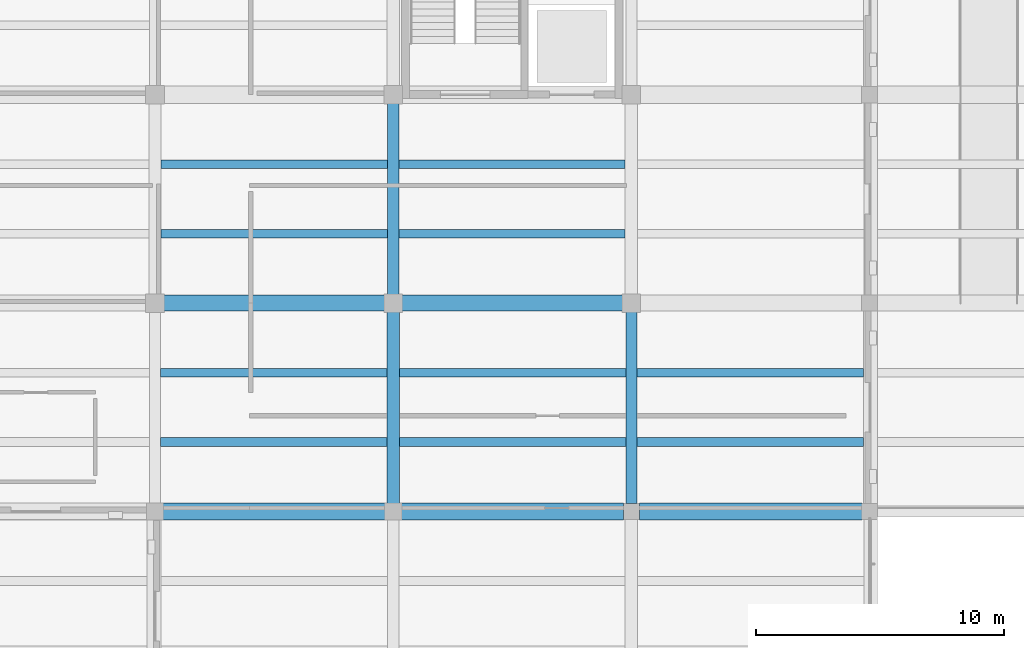
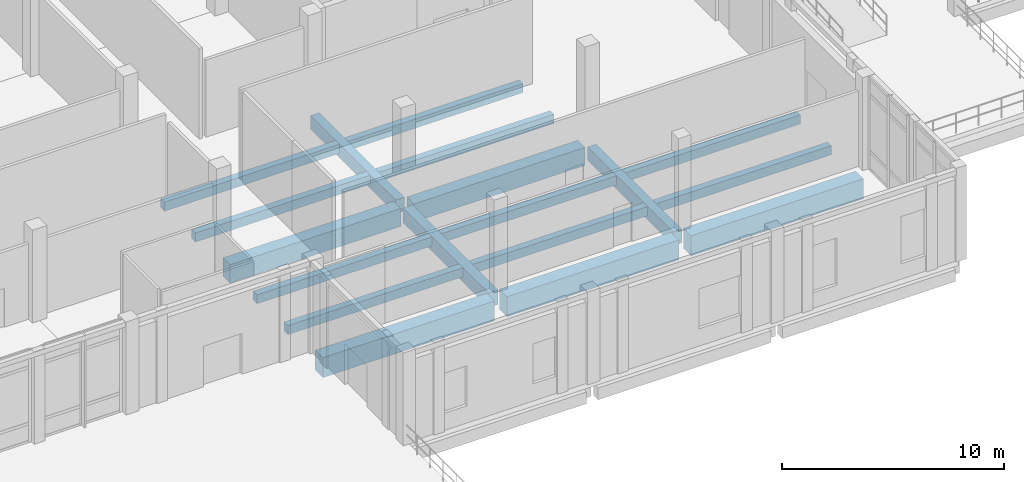
# One storey, part 36 of 71: 18 beams.
"""IFC4 building model written with IfcOpenShell, lengths in metres."""

from ifc_helpers import new_model, si_unit, direction, frame, origin, origin_2d, place, context, subcontext, project, spatial, rectangle, extrude, material, material_profile, profile_set, type_object, element, save


model = new_model("IFC4")

# Units and contexts
model_context = context("Model", 3, precision=1e-05, world=origin(), true_north=direction((0.0, 1.0)))
body_context = subcontext(model_context, "Body", "Model", "MODEL_VIEW")
ifc_project = project(units=[si_unit("LENGTHUNIT", "METRE"), si_unit("AREAUNIT", "SQUARE_METRE"), si_unit("VOLUMEUNIT", "CUBIC_METRE"), si_unit("PLANEANGLEUNIT", "RADIAN"), si_unit("MASSUNIT", "GRAM", prefix="KILO")], contexts=[model_context])

# Site, building, storey
site_placement = place(None, origin())
site = spatial("IfcSite", under=ifc_project, at=site_placement, CompositionType="ELEMENT")
building_placement = place(site_placement, origin())
building = spatial("IfcBuilding", under=site, at=building_placement, Name="Lornevale Opera House", CompositionType="ELEMENT")
storey_placement = place(building_placement, origin())
storey = spatial("IfcBuildingStorey", under=building, at=storey_placement, Name="L01", CompositionType="ELEMENT", Elevation=0.0)

# Beams
ifc_material_1 = material(Name="Concrete 35 MPa (CSA A23.1 N)", Category="concrete")
ifc_material_profile_1 = material_profile(ifc_material_1, rectangle(XDim=0.449951171875, YDim=0.75, at=origin_2d()), Name="RC450x750")
ifc_profile_set_1 = profile_set([ifc_material_profile_1], Name="Concrete 35 MPa (CSA A23.1 N)")
beam_type_1 = type_object("IfcBeamType", Name="Concrete Floor Beam 450x750", PredefinedType="USERDEFINED", material=ifc_profile_set_1)
beam_1_placement = place(storey_placement, frame((134.39990234375, 25.550048828125, -0.81494140625), z_axis=(0.0, 1.0, 0.0), x_axis=(-1.0, 0.0, 0.0)))
element("IfcBeam", 1, at=beam_1_placement, inside=storey, type_object=beam_type_1, Name="Concrete Floor Beam 450x750 1257", ObjectType="GIRDER", PredefinedType="USERDEFINED", context=body_context, shape_type="SweptSolid", body=[
    extrude(rectangle(XDim=0.449951171875, YDim=0.75, at=origin_2d()), origin(), (0.0, 0.0, 1.0), 7.699951171875),
])
beam_2_placement = place(storey_placement, frame((144.0, 17.125, -0.81494140625), z_axis=(0.0, 1.0, 0.0), x_axis=(-1.0, 0.0, 0.0)))
element("IfcBeam", 2, at=beam_2_placement, inside=storey, type_object=beam_type_1, Name="Concrete Floor Beam 450x750 1265", ObjectType="GIRDER", PredefinedType="USERDEFINED", context=body_context, shape_type="SweptSolid", body=[
    extrude(rectangle(XDim=0.449951171875, YDim=0.75, at=origin_2d()), origin(), (0.0, 0.0, 1.0), 7.72509765625),
])
ifc_material_profile_2 = material_profile(ifc_material_1, rectangle(XDim=0.5, YDim=0.800048828125, at=origin_2d()), Name="RC500x800")
ifc_profile_set_2 = profile_set([ifc_material_profile_2], Name="Concrete 35 MPa (CSA A23.1 N)")
beam_type_2 = type_object("IfcBeamType", Name="Concrete Floor Beam 500x800", PredefinedType="USERDEFINED", material=ifc_profile_set_2)
beam_3_placement = place(storey_placement, frame((134.39990234375, 17.125, -0.840087890625), z_axis=(0.0, 1.0, 0.0), x_axis=(-1.0, 0.0, 0.0)))
element("IfcBeam", 3, at=beam_3_placement, inside=storey, type_object=beam_type_2, Name="Concrete Floor Beam 500x800 1256", ObjectType="GIRDER", PredefinedType="USERDEFINED", context=body_context, shape_type="SweptSolid", body=[
    extrude(rectangle(XDim=0.5, YDim=0.800048828125, at=origin_2d()), origin(), (0.0, 0.0, 1.0), 7.72509765625),
])
ifc_material_2 = material(Name="Concrete 40 MPa (CSA A23.1 C-1)", Category="concrete")
ifc_material_profile_3 = material_profile(ifc_material_2, rectangle(XDim=0.64990234375, YDim=1.0, at=origin_2d()), Name="RC650x1000")
ifc_profile_set_3 = profile_set([ifc_material_profile_3], Name="Concrete 40 MPa (CSA A23.1 C-1)")
beam_type_3 = type_object("IfcBeamType", Name="Concrete Primary Girder 650x1000", PredefinedType="USERDEFINED", material=ifc_profile_set_3)
beam_4_placement = place(storey_placement, frame((125.14990234375, 25.199951171875, -0.93994140625), z_axis=(1.0, 0.0, 0.0), x_axis=(0.0, 1.0, 0.0)))
element("IfcBeam", 4, at=beam_4_placement, inside=storey, type_object=beam_type_3, Name="Concrete Primary Girder 650x1000 0902", ObjectType="GIRDER", PredefinedType="USERDEFINED", context=body_context, shape_type="SweptSolid", body=[
    extrude(rectangle(XDim=0.64990234375, YDim=1.0, at=origin_2d()), origin(), (0.0, 0.0, 1.0), 8.900146484375),
])
beam_5_placement = place(storey_placement, frame((134.75, 25.199951171875, -0.93994140625), z_axis=(1.0, 0.0, 0.0), x_axis=(0.0, 1.0, 0.0)))
element("IfcBeam", 5, at=beam_5_placement, inside=storey, type_object=beam_type_3, Name="Concrete Primary Girder 650x1000 0903", ObjectType="GIRDER", PredefinedType="USERDEFINED", context=body_context, shape_type="SweptSolid", body=[
    extrude(rectangle(XDim=0.64990234375, YDim=1.0, at=origin_2d()), origin(), (0.0, 0.0, 1.0), 8.89990234375),
])
ifc_material_profile_4 = material_profile(ifc_material_2, rectangle(XDim=0.699951171875, YDim=1.10009765625, at=origin_2d()), Name="RC700x1100")
ifc_profile_set_4 = profile_set([ifc_material_profile_4], Name="Concrete 40 MPa (CSA A23.1 C-1)")
beam_type_4 = type_object("IfcBeamType", Name="Concrete Primary Girder 700x1100", PredefinedType="USERDEFINED", material=ifc_profile_set_4)
for number, where, z_axis, x_axis, name in (
    (6, (125.125, 16.800048828125, -0.989990234375), (1.0, 0.0, 0.0), (0.0, 1.0, 0.0), "Concrete Primary Girder 700x1100 0885"),
    (7, (134.72509765625, 16.800048828125, -0.989990234375), (1.0, 0.0, 0.0), (0.0, 1.0, 0.0), "Concrete Primary Girder 700x1100 0886"),
):
    element("IfcBeam", number, at=place(storey_placement, frame(where, z_axis=z_axis, x_axis=x_axis)), inside=storey, type_object=beam_type_4, Name=name, ObjectType="GIRDER", PredefinedType="USERDEFINED", context=body_context, shape_type="SweptSolid", body=[
        extrude(rectangle(XDim=0.699951171875, YDim=1.10009765625, at=origin_2d()), origin(), (0.0, 0.0, 1.0), 8.949951171875),
    ])
beam_6_placement = place(storey_placement, frame((144.324951171875, 16.800048828125, -0.989990234375), z_axis=(1.0, 0.0, 0.0), x_axis=(0.0, 1.0, 0.0)))
element("IfcBeam", 8, at=beam_6_placement, inside=storey, type_object=beam_type_4, Name="Concrete Primary Girder 700x1100 0887", ObjectType="GIRDER", PredefinedType="USERDEFINED", context=body_context, shape_type="SweptSolid", body=[
    extrude(rectangle(XDim=0.699951171875, YDim=1.10009765625, at=origin_2d()), origin(), (0.0, 0.0, 1.0), 8.97509765625),
])
ifc_material_profile_5 = material_profile(ifc_material_1, rectangle(XDim=0.35009765625, YDim=0.5, at=origin_2d()), Name="RC350x500")
ifc_profile_set_5 = profile_set([ifc_material_profile_5], Name="Concrete 35 MPa (CSA A23.1 N)")
beam_type_5 = type_object("IfcBeamType", Name="Concrete Secondary Rib 350x500", PredefinedType="JOIST", material=ifc_profile_set_5)
for number, where, z_axis, x_axis, name in (
    (9, (125.02490234375, 19.60009765625, -0.68994140625), (1.0, 0.0, 0.0), (0.0, 1.0, 0.0), "Concrete Secondary Rib 350x500 1613"),
    (10, (125.02490234375, 22.39990234375, -0.68994140625), (1.0, 0.0, 0.0), (0.0, 1.0, 0.0), "Concrete Secondary Rib 350x500 1614"),
    (11, (125.050048828125, 28.0, -0.68994140625), (1.0, 0.0, 0.0), (0.0, 1.0, 0.0), "Concrete Secondary Rib 350x500 1615"),
    (12, (125.050048828125, 30.800048828125, -0.68994140625), (1.0, 0.0, 0.0), (0.0, 1.0, 0.0), "Concrete Secondary Rib 350x500 1616"),
    (13, (134.64990234375, 19.60009765625, -0.68994140625), (1.0, 0.0, 0.0), (0.0, 1.0, 0.0), "Concrete Secondary Rib 350x500 1631"),
    (14, (134.64990234375, 22.39990234375, -0.68994140625), (1.0, 0.0, 0.0), (0.0, 1.0, 0.0), "Concrete Secondary Rib 350x500 1632"),
    (15, (134.625, 28.0, -0.68994140625), (1.0, 0.0, 0.0), (0.0, 1.0, 0.0), "Concrete Secondary Rib 350x500 1633"),
    (16, (134.625, 30.800048828125, -0.68994140625), (1.0, 0.0, 0.0), (0.0, 1.0, 0.0), "Concrete Secondary Rib 350x500 1634"),
    (17, (144.22509765625, 19.60009765625, -0.68994140625), (1.0, 0.0, 0.0), (0.0, 1.0, 0.0), "Concrete Secondary Rib 350x500 1645"),
    (18, (144.22509765625, 22.39990234375, -0.68994140625), (1.0, 0.0, 0.0), (0.0, 1.0, 0.0), "Concrete Secondary Rib 350x500 1646"),
):
    element("IfcBeam", number, at=place(storey_placement, frame(where, z_axis=z_axis, x_axis=x_axis)), inside=storey, type_object=beam_type_5, Name=name, PredefinedType="JOIST", context=body_context, shape_type="SweptSolid", body=[
        extrude(rectangle(XDim=0.35009765625, YDim=0.5, at=origin_2d()), origin(), (0.0, 0.0, 1.0), 9.125),
    ])

save(model, "model.ifc")
